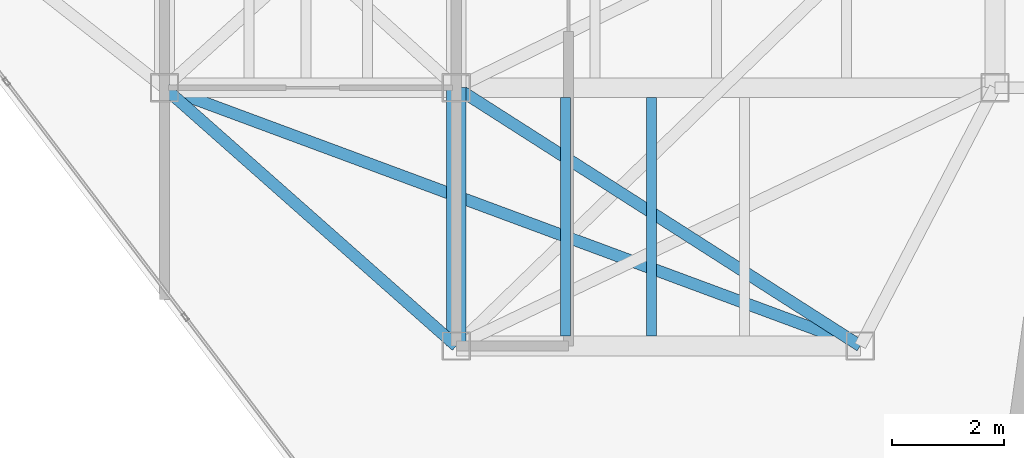
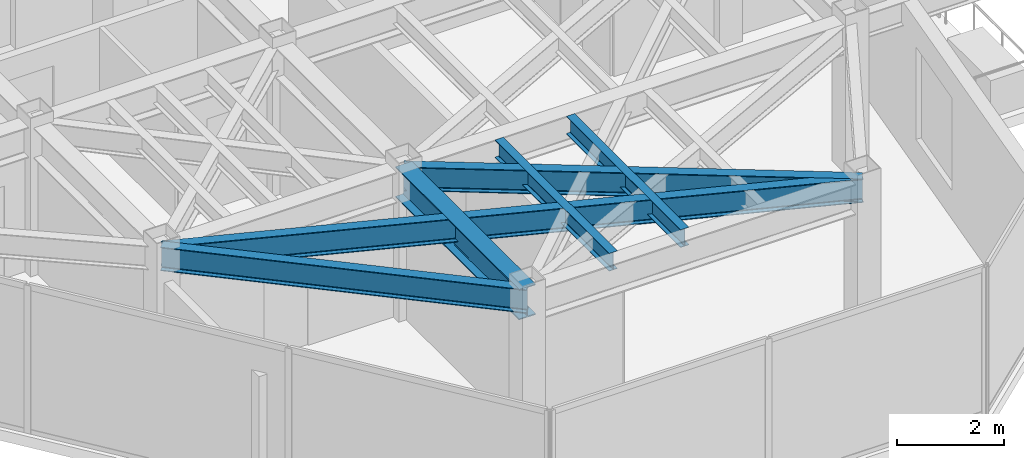
# One storey, part 8 of 19: 6 beams.
"""IFC4 building model written with IfcOpenShell, lengths in metres."""

from ifc_helpers import new_model, si_unit, direction, frame, origin, origin_2d, place, context, subcontext, project, spatial, i_section, extrude, material, material_profile, profile_set, type_object, element, save


model = new_model("IFC4")

# Units and contexts
model_context = context("Model", 3, precision=1e-05, world=origin(), true_north=direction((0.0, 1.0)))
body_context = subcontext(model_context, "Body", "Model", "MODEL_VIEW")
ifc_project = project(units=[si_unit("LENGTHUNIT", "METRE"), si_unit("AREAUNIT", "SQUARE_METRE"), si_unit("VOLUMEUNIT", "CUBIC_METRE"), si_unit("PLANEANGLEUNIT", "RADIAN"), si_unit("MASSUNIT", "GRAM", prefix="KILO")], contexts=[model_context])

# Site, building, storey
site_placement = place(None, origin())
site = spatial("IfcSite", under=ifc_project, at=site_placement, CompositionType="ELEMENT")
building_placement = place(site_placement, origin())
building = spatial("IfcBuilding", under=site, at=building_placement, Name="Kravanh Interchange Tower", CompositionType="ELEMENT")
storey_placement = place(building_placement, frame((0.0, 0.0, 270.60009765625)))
storey = spatial("IfcBuildingStorey", under=building, at=storey_placement, Name="L66", CompositionType="ELEMENT", Elevation=270.60009765625)

# Beams
ifc_material_1 = material(Name="Structural Steel S355", Category="steel")
ifc_material_profile_1 = material_profile(ifc_material_1, i_section(OverallWidth=0.35498046875, OverallDepth=0.696044921875, WebThickness=0.015380859375, FlangeThickness=0.02490234375, FilletRadius=0.02392578125, at=origin_2d()), Name="W27X146")
ifc_profile_set_1 = profile_set([ifc_material_profile_1], Name="Structural Steel S355")
beam_type_1 = type_object("IfcBeamType", Name="Floor Beam W27X146 Structural Steel S355", PredefinedType="BEAM", material=ifc_profile_set_1)
beam_1_placement = place(storey_placement, frame((56.0, 26.800048828125, 3.011962890625), z_axis=(0.0, -1.0, 0.0), x_axis=(1.0, 0.0, 0.0)))
element("IfcBeam", 1, at=beam_1_placement, inside=storey, type_object=beam_type_1, Name="L66 Primary Floor Girder 28", PredefinedType="BEAM", context=body_context, shape_type="SweptSolid", body=[
    extrude(i_section(OverallWidth=0.35498046875, OverallDepth=0.696044921875, WebThickness=0.015380859375, FlangeThickness=0.02490234375, FilletRadius=0.02392578125, at=origin_2d()), origin(), (0.0, 0.0, 1.0), 4.60009765625),
])
ifc_material_2 = material(Name="Structural Steel S355", Category="steel")
ifc_material_profile_2 = material_profile(ifc_material_2, i_section(OverallWidth=0.177978515625, OverallDepth=0.406005859375, WebThickness=0.0078125, FlangeThickness=0.0126953125, FilletRadius=0.01611328125, at=origin_2d()), Name="W16X40")
ifc_profile_set_2 = profile_set([ifc_material_profile_2], Name="Structural Steel S355")
beam_type_2 = type_object("IfcBeamType", Name="Floor Joist W16X40 Structural Steel S355", PredefinedType="JOIST", material=ifc_profile_set_2)
for number, where, z_axis, x_axis, name in (
    (2, (57.947998046875, 22.37255859375, 3.156982421875), (0.0, 1.0, 0.0), (-1.0, 0.0, 0.0), "L66 Secondary Floor Joist 1"),
    (3, (59.48193359375, 22.37255859375, 3.156982421875), (0.0, 1.0, 0.0), (-1.0, 0.0, 0.0), "L66 Secondary Floor Joist 2"),
):
    element("IfcBeam", number, at=place(storey_placement, frame(where, z_axis=z_axis, x_axis=x_axis)), inside=storey, type_object=beam_type_2, Name=name, PredefinedType="JOIST", context=body_context, shape_type="SweptSolid", body=[
        extrude(i_section(OverallWidth=0.177978515625, OverallDepth=0.406005859375, WebThickness=0.0078125, FlangeThickness=0.0126953125, FilletRadius=0.01611328125, at=origin_2d()), origin(), (0.0, 0.0, 1.0), 4.2548828125),
    ])
ifc_material_3 = material(Name="Structural Steel S355", Category="steel")
ifc_material_profile_3 = material_profile(ifc_material_3, i_section(OverallWidth=0.2099609375, OverallDepth=0.537109375, WebThickness=0.010986328125, FlangeThickness=0.017333984375, FilletRadius=0.02001953125, at=origin_2d()), Name="W21X68")
ifc_profile_set_3 = profile_set([ifc_material_profile_3], Name="Structural Steel S355")
beam_type_3 = type_object("IfcBeamType", Name="Floor Spandrel W21X68 Structural Steel S355", PredefinedType="SPANDREL", material=ifc_profile_set_3)
beam_2_placement = place(storey_placement, frame((50.800048828125, 26.800048828125, 3.09130859375), z_axis=(0.74898649432, -0.662585263439, 0.0), x_axis=(0.662585263439, 0.74898649432, 0.0)))
element("IfcBeam", 4, at=beam_2_placement, inside=storey, type_object=beam_type_3, Name="L66 Perimeter Spandrel 26", PredefinedType="SPANDREL", context=body_context, shape_type="SweptSolid", body=[
    extrude(i_section(OverallWidth=0.2099609375, OverallDepth=0.537109375, WebThickness=0.010986328125, FlangeThickness=0.017333984375, FilletRadius=0.02001953125, at=origin_2d()), origin(), (0.0, 0.0, 1.0), 6.942626953125),
])
beam_3_placement = place(storey_placement, frame((50.800048828125, 26.800048828125, 3.09130859375), z_axis=(0.937562917338, -0.347815721372, 0.0), x_axis=(0.347815721372, 0.937562917338, 0.0)))
element("IfcBeam", 5, at=beam_3_placement, inside=storey, type_object=beam_type_3, Name="L66 Perimeter Spandrel 27", PredefinedType="SPANDREL", context=body_context, shape_type="SweptSolid", body=[
    extrude(i_section(OverallWidth=0.2099609375, OverallDepth=0.537109375, WebThickness=0.010986328125, FlangeThickness=0.017333984375, FilletRadius=0.02001953125, at=origin_2d()), origin(), (0.0, 0.0, 1.0), 13.2255859375),
])
beam_4_placement = place(storey_placement, frame((56.0, 26.800048828125, 3.09130859375), z_axis=(0.842689417531, -0.53839998661, 0.0), x_axis=(0.53839998661, 0.842689417531, 0.0)))
element("IfcBeam", 6, at=beam_4_placement, inside=storey, type_object=beam_type_3, Name="L66 Perimeter Spandrel 29", PredefinedType="SPANDREL", context=body_context, shape_type="SweptSolid", body=[
    extrude(i_section(OverallWidth=0.2099609375, OverallDepth=0.537109375, WebThickness=0.010986328125, FlangeThickness=0.017333984375, FilletRadius=0.02001953125, at=origin_2d()), origin(), (0.0, 0.0, 1.0), 8.5439453125),
])

save(model, "model.ifc")
